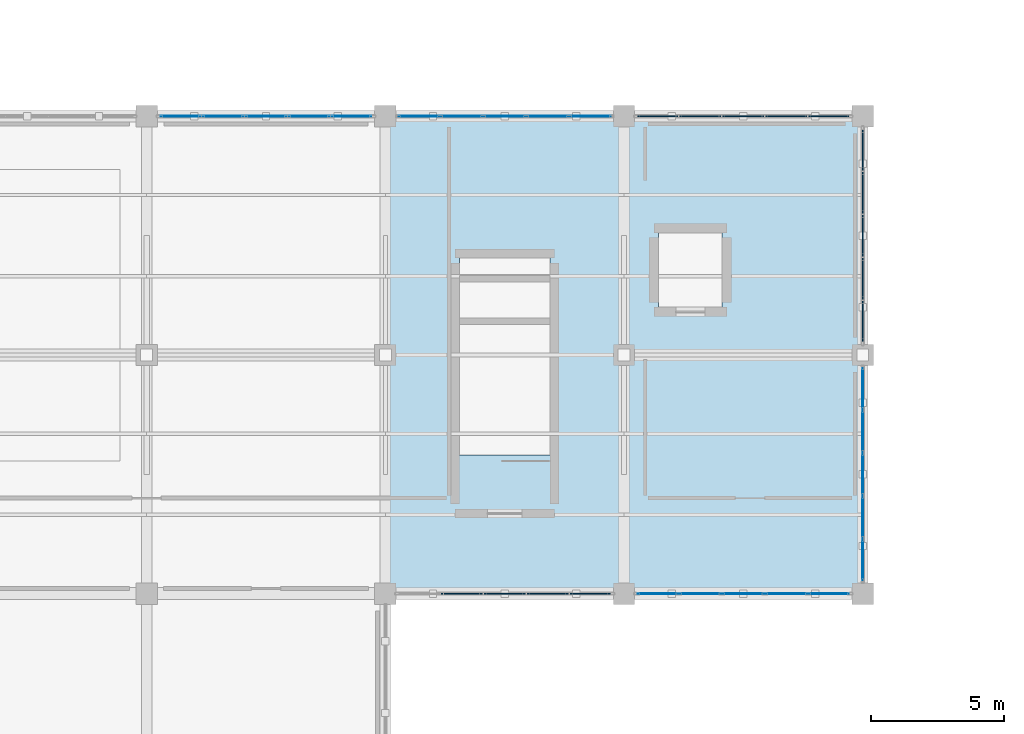
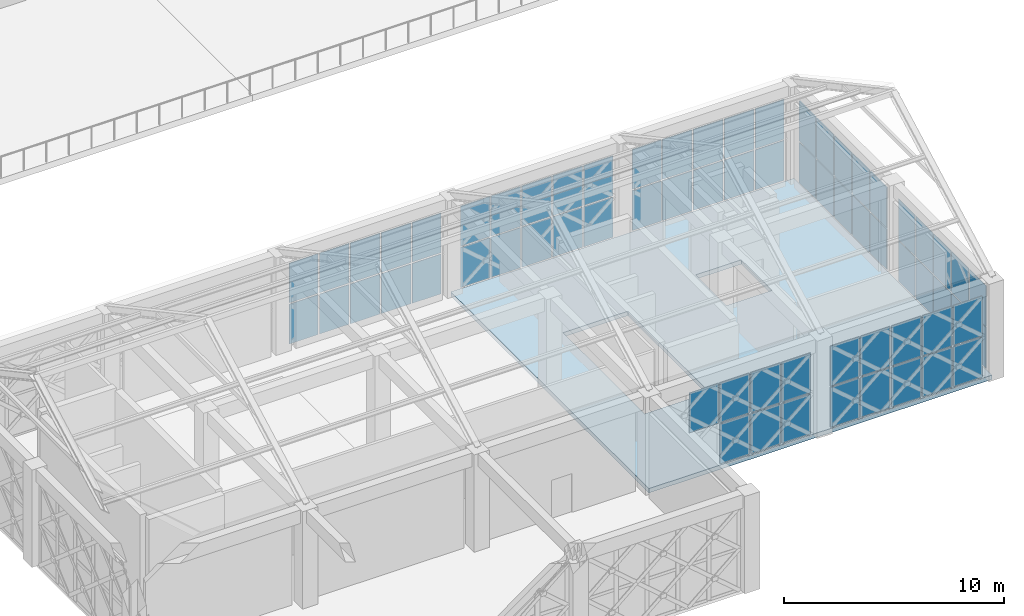
# One storey, part 68 of 86: 67 plates, 1 slab, 7 elements without a shape of their own.
"""IFC4 building model written with IfcOpenShell, lengths in metres."""

import ifcopenshell
import ifcopenshell.guid

model = None  # the IFC model being written
_history = None  # IfcOwnerHistory: only IFC2X3 demands one
_inside = {}  # id of a spatial element -> (the spatial element, [elements in it])
_under = {}  # id of a project, library or spatial element -> (it, [spatial elements below it])
_declared = {}  # id of a project -> (the project, [libraries it declares])
_typed = {}  # id of a type object -> (the type object, [elements of that type])
_made_of = {}  # id of a material, layer set ... -> (it, [elements and type objects made of it])


def new_model(schema):
    """Start an empty IFC model of exactly this schema.

    Asked for "IFC4X3", IfcOpenShell would pick the latest addendum, in which some entities
    have other attributes; the version numbers below select the first issue.
    IFC2X3 requires an IfcOwnerHistory on every rooted entity: one is made here for all.
    """
    global model, _history
    if schema == "IFC4X3":
        model = ifcopenshell.file(schema_version=(4, 3, 0, 0))
    else:
        model = ifcopenshell.file(schema=schema)
    _inside.clear()
    _under.clear()
    _declared.clear()
    _typed.clear()
    _made_of.clear()
    _history = None
    if model.schema == "IFC2X3":
        org = make("IfcOrganization", Name="unknown")
        user = make(
            "IfcPersonAndOrganization",
            ThePerson=make("IfcPerson", FamilyName="unknown"),
            TheOrganization=org,
        )
        app = make(
            "IfcApplication",
            ApplicationDeveloper=org,
            Version="unknown",
            ApplicationFullName="unknown",
            ApplicationIdentifier="unknown",
        )
        _history = make(
            "IfcOwnerHistory",
            OwningUser=user,
            OwningApplication=app,
            ChangeAction="ADDED",
            CreationDate=0,
        )
    return model


def make(cls, **values):
    """One entity of the class cls with the attributes given. An attribute that is None is left unset."""
    return model.create_entity(
        cls, **{name: value for name, value in values.items() if value is not None}
    )


def rooted(cls, **values):
    """An entity with a GlobalId (a new one), such as an element, a storey or a relation."""
    return make(cls, GlobalId=ifcopenshell.guid.new(), OwnerHistory=_history, **values)


def si_unit(unit_type, name, prefix=None):
    """IfcSIUnit, for example si_unit("LENGTHUNIT", "METRE", prefix="MILLI")."""
    return make("IfcSIUnit", UnitType=unit_type, Prefix=prefix, Name=name)


def assignment(units):
    """IfcUnitAssignment: the units of a project."""
    return None if units is None else make("IfcUnitAssignment", Units=units)


def point(xyz):
    """IfcCartesianPoint."""
    return None if xyz is None else make("IfcCartesianPoint", Coordinates=xyz)


def direction(xyz):
    """IfcDirection."""
    return None if xyz is None else make("IfcDirection", DirectionRatios=xyz)


def frame(location, z_axis=None, x_axis=None):
    """IfcAxis2Placement3D, a coordinate frame: its origin and axes. An axis left out is left unset."""
    return make(
        "IfcAxis2Placement3D",
        Location=point(location),
        Axis=direction(z_axis),
        RefDirection=direction(x_axis),
    )


def frame_2d(location, x_axis=None):
    """IfcAxis2Placement2D, a coordinate frame in the plane: its origin and x axis."""
    return make(
        "IfcAxis2Placement2D", Location=point(location), RefDirection=direction(x_axis)
    )


def origin():
    """The frame at (0, 0, 0) with its axes left unset."""
    return frame((0.0, 0.0, 0.0))


def origin_2d():
    """The frame at (0, 0) in the plane with its x axis left unset."""
    return frame_2d((0.0, 0.0))


def place(relative_to, where):
    """IfcLocalPlacement: puts the frame where relative to a parent placement (None: the world)."""
    return make(
        "IfcLocalPlacement", PlacementRelTo=relative_to, RelativePlacement=where
    )


def context(
    kind, dimensions, precision=None, world=None, true_north=None, identifier=None
):
    """IfcGeometricRepresentationContext, for example the 3D "Model" context."""
    return make(
        "IfcGeometricRepresentationContext",
        ContextIdentifier=identifier,
        ContextType=kind,
        CoordinateSpaceDimension=dimensions,
        Precision=precision,
        WorldCoordinateSystem=world,
        TrueNorth=true_north,
    )


def subcontext(parent, identifier, kind, view, scale=None):
    """IfcGeometricRepresentationSubContext, for example "Body" below "Model"."""
    return make(
        "IfcGeometricRepresentationSubContext",
        ContextIdentifier=identifier,
        ContextType=kind,
        ParentContext=parent,
        TargetScale=scale,
        TargetView=view,
    )


def project(units=None, contexts=None):
    """IfcProject with its units and contexts."""
    return rooted(
        "IfcProject",
        Name="project",
        RepresentationContexts=contexts,
        UnitsInContext=assignment(units),
    )


def spatial(cls, under=None, at=None, **own):
    """A site, building, storey or space (cls), placed at a placement, below another one or the project."""
    s = rooted(cls, ObjectPlacement=at, **own)
    if under is not None:
        _under.setdefault(under.id(), (under, []))[1].append(s)
    return s


def polyline(points):
    """IfcPolyline through the points."""
    return make("IfcPolyline", Points=[point(p) for p in points])


def profile(cls, at=None, kind="AREA", **sizes):
    """A parametric profile (cls). Its sizes go by their IFC names, for example OverallWidth=200.0."""
    return make(cls, ProfileType=kind, Position=at, **sizes)


def rectangle(**sizes):
    """IfcRectangleProfileDef."""
    return profile("IfcRectangleProfileDef", **sizes)


def outline(outer, holes=None, kind="AREA"):
    """IfcArbitraryClosedProfileDef: a profile drawn as a closed curve; with holes, ...WithVoids."""
    if holes is None:
        return make("IfcArbitraryClosedProfileDef", ProfileType=kind, OuterCurve=outer)
    return make(
        "IfcArbitraryProfileDefWithVoids",
        ProfileType=kind,
        OuterCurve=outer,
        InnerCurves=holes,
    )


def extrude(swept, where, along, depth):
    """IfcExtrudedAreaSolid: the profile swept, set in the frame where, extruded along a direction by depth."""
    return make(
        "IfcExtrudedAreaSolid",
        SweptArea=swept,
        Position=where,
        ExtrudedDirection=direction(along),
        Depth=depth,
    )


def shape(context_of_items, identifier, shape_type, items):
    """IfcShapeRepresentation: the items that make up one representation, for example the "Body"."""
    return make(
        "IfcShapeRepresentation",
        ContextOfItems=context_of_items,
        RepresentationIdentifier=identifier,
        RepresentationType=shape_type,
        Items=items,
    )


def material(Name=None, Category=None):
    """IfcMaterial."""
    return make("IfcMaterial", Name=Name, Category=Category)


def layer(
    of_material, thickness, ventilated=None, Name=None, Category=None, Priority=None
):
    """IfcMaterialLayer: one layer of a wall or slab, of a material (None: an air gap)."""
    return make(
        "IfcMaterialLayer",
        Material=of_material,
        LayerThickness=thickness,
        IsVentilated=ventilated,
        Name=Name,
        Category=Category,
        Priority=Priority,
    )


def layer_set(layers, Name=None):
    """IfcMaterialLayerSet."""
    return make("IfcMaterialLayerSet", MaterialLayers=layers, LayerSetName=Name)


def made_of(thing, what):
    """Note that an element or type object is made of a material, layer set ...; save() writes the relation."""
    if what is not None:
        _made_of.setdefault(what.id(), (what, []))[1].append(thing)
    return thing


def type_object(cls, material=None, **own):
    """A type object (cls), such as IfcWallType, which elements share."""
    return made_of(rooted(cls, **own), material)


def element(
    cls,
    number,
    at=None,
    inside=None,
    cuts=None,
    type_object=None,
    material=None,
    context=None,
    identifier="Body",
    shape_type=None,
    held_by="IfcProductDefinitionShape",
    body=None,
    shapes=None,
    **own,
):
    """One element of the class cls, such as IfcWall. Its Tag is "e" and its number.

    at: its placement. inside: the storey or other place that contains it. cuts: it is an
    opening in that element (IfcRelVoidsElement). A single representation is given by context,
    identifier, shape_type and body (its items); several are given by shapes. held_by: the class
    of the entity that holds the representations. save() writes the other relations.
    """
    e = rooted(cls, Tag="e%d" % number, ObjectPlacement=at, **own)
    if body is not None:
        shapes = [shape(context, identifier, shape_type, body)]
    if shapes is not None:
        e.Representation = make(held_by, Representations=shapes)
    if inside is not None:
        _inside.setdefault(inside.id(), (inside, []))[1].append(e)
    if cuts is not None:
        rooted(
            "IfcRelVoidsElement", RelatingBuildingElement=cuts, RelatedOpeningElement=e
        )
    if type_object is not None:
        _typed.setdefault(type_object.id(), (type_object, []))[1].append(e)
    return made_of(e, material)


def aggregate(whole, parts):
    """IfcRelAggregates: a whole, such as a stair, and the parts it consists of."""
    return rooted("IfcRelAggregates", RelatingObject=whole, RelatedObjects=parts)


def save(model, path):
    """Write the relations noted so far, then the file.

    IfcRelAggregates (storeys below a building ...), IfcRelContainedInSpatialStructure (elements
    in a storey), IfcRelDefinesByType, IfcRelAssociatesMaterial and IfcRelDeclares: one each for
    every whole, place, type object, material and project.
    """
    for whole, parts in _under.values():
        aggregate(whole, parts)
    for where, things in _inside.values():
        rooted(
            "IfcRelContainedInSpatialStructure",
            RelatedElements=things,
            RelatingStructure=where,
        )
    for kind, things in _typed.values():
        rooted("IfcRelDefinesByType", RelatedObjects=things, RelatingType=kind)
    for what, things in _made_of.values():
        rooted("IfcRelAssociatesMaterial", RelatedObjects=things, RelatingMaterial=what)
    for by, libraries in _declared.values():
        rooted("IfcRelDeclares", RelatingContext=by, RelatedDefinitions=libraries)
    model.write(path)


model = new_model("IFC4")

# Units and contexts
model_context = context("Model", 3, precision=1e-05, world=origin(), true_north=direction((0.0, 1.0)))
body_context = subcontext(model_context, "Body", "Model", "MODEL_VIEW")
ifc_project = project(units=[si_unit("LENGTHUNIT", "METRE"), si_unit("AREAUNIT", "SQUARE_METRE"), si_unit("VOLUMEUNIT", "CUBIC_METRE"), si_unit("PLANEANGLEUNIT", "RADIAN"), si_unit("MASSUNIT", "GRAM", prefix="KILO")], contexts=[model_context])

# Site, building, storey
site_placement = place(None, origin())
site = spatial("IfcSite", under=ifc_project, at=site_placement, CompositionType="ELEMENT")
building_placement = place(site_placement, origin())
building = spatial("IfcBuilding", under=site, at=building_placement, Name="Haizhuo Lancet Aquarium", CompositionType="ELEMENT")
storey_placement = place(building_placement, frame((0.0, 0.0, 16.199951171875)))
storey = spatial("IfcBuildingStorey", under=building, at=storey_placement, Name="L03", CompositionType="ELEMENT", Elevation=16.199951171875)

# Curtain wall, plates
ifc_material_1 = material(Name="Aluminium 6063-T6", Category="aluminium")
curtain_wall_type_1 = type_object("IfcCurtainWallType", Name="CWO-8110x4650", PredefinedType="NOTDEFINED", material=ifc_material_1)
curtain_wall_1_placement = place(storey_placement, origin())
curtain_wall_1 = element("IfcCurtainWall", 1, at=curtain_wall_1_placement, inside=storey, type_object=curtain_wall_type_1, Name="L03 curtain wall CW-V3-L03-069", PredefinedType="NOTDEFINED")
ifc_material_2 = material(Name="Laminated Low-E Glass", Category="glass")
ifc_layer_1 = layer(ifc_material_2, 0.028076171875)
ifc_layer_set_1 = layer_set([ifc_layer_1], Name="Laminated Low-E Glass")
plate_type_1 = type_object("IfcPlateType", Name="CW-PNL-1", PredefinedType="CURTAIN_PANEL", material=ifc_layer_set_1)
plate_1_placement = place(storey_placement, frame((46.27587890625, -9.0, 0.08056640625), z_axis=(0.0, 0.0, 1.0), x_axis=(1.0, 0.0, 0.0)))
plate_1 = element("IfcPlate", 2, at=plate_1_placement, type_object=plate_type_1, Name="CWO-81x46 panel 1.1", PredefinedType="CURTAIN_PANEL", context=body_context, shape_type="SweptSolid", body=[
    extrude(rectangle(XDim=1.501953125, YDim=0.028076171875, at=origin_2d()), origin(), (0.0, 0.0, 1.0), 2.205078125),
])
plate_2_placement = place(storey_placement, frame((46.27587890625, -9.0, 2.365478515625), z_axis=(0.0, 0.0, 1.0), x_axis=(1.0, 0.0, 0.0)))
plate_2 = element("IfcPlate", 3, at=plate_2_placement, type_object=plate_type_1, Name="CWO-81x46 panel 1.2", PredefinedType="CURTAIN_PANEL", context=body_context, shape_type="SweptSolid", body=[
    extrude(rectangle(XDim=1.501953125, YDim=0.028076171875, at=origin_2d()), origin(), (0.0, 0.0, 1.0), 2.205078125),
])
plate_3_placement = place(storey_placement, frame((47.8779296875, -9.0, 0.08056640625), z_axis=(0.0, 0.0, 1.0), x_axis=(1.0, 0.0, 0.0)))
plate_3 = element("IfcPlate", 4, at=plate_3_placement, type_object=plate_type_1, Name="CWO-81x46 panel 2.1", PredefinedType="CURTAIN_PANEL", context=body_context, shape_type="SweptSolid", body=[
    extrude(rectangle(XDim=1.5419921875, YDim=0.028076171875, at=origin_2d()), origin(), (0.0, 0.0, 1.0), 2.205078125),
])
plate_4_placement = place(storey_placement, frame((47.8779296875, -9.0, 2.365478515625), z_axis=(0.0, 0.0, 1.0), x_axis=(1.0, 0.0, 0.0)))
plate_4 = element("IfcPlate", 5, at=plate_4_placement, type_object=plate_type_1, Name="CWO-81x46 panel 2.2", PredefinedType="CURTAIN_PANEL", context=body_context, shape_type="SweptSolid", body=[
    extrude(rectangle(XDim=1.5419921875, YDim=0.028076171875, at=origin_2d()), origin(), (0.0, 0.0, 1.0), 2.205078125),
])
plate_5_placement = place(storey_placement, frame((49.5, -9.0, 0.08056640625), z_axis=(0.0, 0.0, 1.0), x_axis=(1.0, 0.0, 0.0)))
plate_5 = element("IfcPlate", 6, at=plate_5_placement, type_object=plate_type_1, Name="CWO-81x46 panel 3.1", PredefinedType="CURTAIN_PANEL", context=body_context, shape_type="SweptSolid", body=[
    extrude(rectangle(XDim=1.5419921875, YDim=0.028076171875, at=origin_2d()), origin(), (0.0, 0.0, 1.0), 2.205078125),
])
plate_6_placement = place(storey_placement, frame((49.5, -9.0, 2.365478515625), z_axis=(0.0, 0.0, 1.0), x_axis=(1.0, 0.0, 0.0)))
plate_6 = element("IfcPlate", 7, at=plate_6_placement, type_object=plate_type_1, Name="CWO-81x46 panel 3.2", PredefinedType="CURTAIN_PANEL", context=body_context, shape_type="SweptSolid", body=[
    extrude(rectangle(XDim=1.5419921875, YDim=0.028076171875, at=origin_2d()), origin(), (0.0, 0.0, 1.0), 2.205078125),
])
plate_7_placement = place(storey_placement, frame((51.1220703125, -9.0, 0.08056640625), z_axis=(0.0, 0.0, 1.0), x_axis=(1.0, 0.0, 0.0)))
plate_7 = element("IfcPlate", 8, at=plate_7_placement, type_object=plate_type_1, Name="CWO-81x46 panel 4.1", PredefinedType="CURTAIN_PANEL", context=body_context, shape_type="SweptSolid", body=[
    extrude(rectangle(XDim=1.5419921875, YDim=0.028076171875, at=origin_2d()), origin(), (0.0, 0.0, 1.0), 2.205078125),
])
plate_8_placement = place(storey_placement, frame((51.1220703125, -9.0, 2.365478515625), z_axis=(0.0, 0.0, 1.0), x_axis=(1.0, 0.0, 0.0)))
plate_8 = element("IfcPlate", 9, at=plate_8_placement, type_object=plate_type_1, Name="CWO-81x46 panel 4.2", PredefinedType="CURTAIN_PANEL", context=body_context, shape_type="SweptSolid", body=[
    extrude(rectangle(XDim=1.5419921875, YDim=0.028076171875, at=origin_2d()), origin(), (0.0, 0.0, 1.0), 2.205078125),
])
plate_9_placement = place(storey_placement, frame((52.72412109375, -9.0, 0.08056640625), z_axis=(0.0, 0.0, 1.0), x_axis=(1.0, 0.0, 0.0)))
plate_9 = element("IfcPlate", 10, at=plate_9_placement, type_object=plate_type_1, Name="CWO-81x46 panel 5.1", PredefinedType="CURTAIN_PANEL", context=body_context, shape_type="SweptSolid", body=[
    extrude(rectangle(XDim=1.501953125, YDim=0.028076171875, at=origin_2d()), origin(), (0.0, 0.0, 1.0), 2.205078125),
])
plate_10_placement = place(storey_placement, frame((52.72412109375, -9.0, 2.365478515625), z_axis=(0.0, 0.0, 1.0), x_axis=(1.0, 0.0, 0.0)))
plate_10 = element("IfcPlate", 11, at=plate_10_placement, type_object=plate_type_1, Name="CWO-81x46 panel 5.2", PredefinedType="CURTAIN_PANEL", context=body_context, shape_type="SweptSolid", body=[
    extrude(rectangle(XDim=1.501953125, YDim=0.028076171875, at=origin_2d()), origin(), (0.0, 0.0, 1.0), 2.205078125),
])
aggregate(curtain_wall_1, [plate_1, plate_2, plate_3, plate_4, plate_5, plate_6, plate_7, plate_8, plate_9, plate_10])

curtain_wall_type_2 = type_object("IfcCurtainWallType", Name="CWO-8110x4700", PredefinedType="NOTDEFINED", material=ifc_material_1)
curtain_wall_2_placement = place(storey_placement, origin())
curtain_wall_2 = element("IfcCurtainWall", 12, at=curtain_wall_2_placement, inside=storey, type_object=curtain_wall_type_2, Name="L03 curtain wall CW-V3-L03-073", PredefinedType="NOTDEFINED")
plate_11_placement = place(storey_placement, frame((72.0, -19.27197265625, 0.064697265625), z_axis=(0.0, 0.0, 1.0), x_axis=(0.0, -1.0, 0.0)))
plate_11 = element("IfcPlate", 13, at=plate_11_placement, type_object=plate_type_1, Name="CWO-81x47 panel 1.1", PredefinedType="CURTAIN_PANEL", context=body_context, shape_type="SweptSolid", body=[
    extrude(rectangle(XDim=1.52392578125, YDim=0.028076171875, at=origin_2d()), origin(), (0.0, 0.0, 1.0), 2.2529296875),
])
plate_12_placement = place(storey_placement, frame((72.0, -19.27197265625, 2.382568359375), z_axis=(0.0, 0.0, 1.0), x_axis=(0.0, -1.0, 0.0)))
plate_12 = element("IfcPlate", 14, at=plate_12_placement, type_object=plate_type_1, Name="CWO-81x47 panel 1.2", PredefinedType="CURTAIN_PANEL", context=body_context, shape_type="SweptSolid", body=[
    extrude(rectangle(XDim=1.52392578125, YDim=0.028076171875, at=origin_2d()), origin(), (0.0, 0.0, 1.0), 2.2529296875),
])
plate_13_placement = place(storey_placement, frame((72.0, -20.8779296875, 0.064697265625), z_axis=(0.0, 0.0, 1.0), x_axis=(0.0, -1.0, 0.0)))
plate_13 = element("IfcPlate", 15, at=plate_13_placement, type_object=plate_type_1, Name="CWO-81x47 panel 2.1", PredefinedType="CURTAIN_PANEL", context=body_context, shape_type="SweptSolid", body=[
    extrude(rectangle(XDim=1.556884765625, YDim=0.028076171875, at=origin_2d()), origin(), (0.0, 0.0, 1.0), 2.2529296875),
])
plate_14_placement = place(storey_placement, frame((72.0, -20.8779296875, 2.382568359375), z_axis=(0.0, 0.0, 1.0), x_axis=(0.0, -1.0, 0.0)))
plate_14 = element("IfcPlate", 16, at=plate_14_placement, type_object=plate_type_1, Name="CWO-81x47 panel 2.2", PredefinedType="CURTAIN_PANEL", context=body_context, shape_type="SweptSolid", body=[
    extrude(rectangle(XDim=1.556884765625, YDim=0.028076171875, at=origin_2d()), origin(), (0.0, 0.0, 1.0), 2.2529296875),
])
plate_15_placement = place(storey_placement, frame((72.0, -22.5, 0.064697265625), z_axis=(0.0, 0.0, 1.0), x_axis=(0.0, -1.0, 0.0)))
plate_15 = element("IfcPlate", 17, at=plate_15_placement, type_object=plate_type_1, Name="CWO-81x47 panel 3.1", PredefinedType="CURTAIN_PANEL", context=body_context, shape_type="SweptSolid", body=[
    extrude(rectangle(XDim=1.556884765625, YDim=0.028076171875, at=origin_2d()), origin(), (0.0, 0.0, 1.0), 2.2529296875),
])
plate_16_placement = place(storey_placement, frame((72.0, -22.5, 2.382568359375), z_axis=(0.0, 0.0, 1.0), x_axis=(0.0, -1.0, 0.0)))
plate_16 = element("IfcPlate", 18, at=plate_16_placement, type_object=plate_type_1, Name="CWO-81x47 panel 3.2", PredefinedType="CURTAIN_PANEL", context=body_context, shape_type="SweptSolid", body=[
    extrude(rectangle(XDim=1.556884765625, YDim=0.028076171875, at=origin_2d()), origin(), (0.0, 0.0, 1.0), 2.2529296875),
])
plate_17_placement = place(storey_placement, frame((72.0, -24.1220703125, 0.064697265625), z_axis=(0.0, 0.0, 1.0), x_axis=(0.0, -1.0, 0.0)))
plate_17 = element("IfcPlate", 19, at=plate_17_placement, type_object=plate_type_1, Name="CWO-81x47 panel 4.1", PredefinedType="CURTAIN_PANEL", context=body_context, shape_type="SweptSolid", body=[
    extrude(rectangle(XDim=1.556884765625, YDim=0.028076171875, at=origin_2d()), origin(), (0.0, 0.0, 1.0), 2.2529296875),
])
plate_18_placement = place(storey_placement, frame((72.0, -24.1220703125, 2.382568359375), z_axis=(0.0, 0.0, 1.0), x_axis=(0.0, -1.0, 0.0)))
plate_18 = element("IfcPlate", 20, at=plate_18_placement, type_object=plate_type_1, Name="CWO-81x47 panel 4.2", PredefinedType="CURTAIN_PANEL", context=body_context, shape_type="SweptSolid", body=[
    extrude(rectangle(XDim=1.556884765625, YDim=0.028076171875, at=origin_2d()), origin(), (0.0, 0.0, 1.0), 2.2529296875),
])
plate_19_placement = place(storey_placement, frame((72.0, -25.72802734375, 0.064697265625), z_axis=(0.0, 0.0, 1.0), x_axis=(0.0, -1.0, 0.0)))
plate_19 = element("IfcPlate", 21, at=plate_19_placement, type_object=plate_type_1, Name="CWO-81x47 panel 5.1", PredefinedType="CURTAIN_PANEL", context=body_context, shape_type="SweptSolid", body=[
    extrude(rectangle(XDim=1.52392578125, YDim=0.028076171875, at=origin_2d()), origin(), (0.0, 0.0, 1.0), 2.2529296875),
])
plate_20_placement = place(storey_placement, frame((72.0, -25.72802734375, 2.382568359375), z_axis=(0.0, 0.0, 1.0), x_axis=(0.0, -1.0, 0.0)))
plate_20 = element("IfcPlate", 22, at=plate_20_placement, type_object=plate_type_1, Name="CWO-81x47 panel 5.2", PredefinedType="CURTAIN_PANEL", context=body_context, shape_type="SweptSolid", body=[
    extrude(rectangle(XDim=1.52392578125, YDim=0.028076171875, at=origin_2d()), origin(), (0.0, 0.0, 1.0), 2.2529296875),
])
aggregate(curtain_wall_2, [plate_11, plate_12, plate_13, plate_14, plate_15, plate_16, plate_17, plate_18, plate_19, plate_20])

curtain_wall_3_placement = place(storey_placement, origin())
curtain_wall_3 = element("IfcCurtainWall", 23, at=curtain_wall_3_placement, inside=storey, type_object=curtain_wall_type_1, Name="L03 curtain wall CW-V3-L03-070", PredefinedType="NOTDEFINED")
ifc_layer_2 = layer(ifc_material_2, 0.033935546875)
ifc_layer_set_2 = layer_set([ifc_layer_2], Name="Laminated Low-E Glass")
plate_type_2 = type_object("IfcPlateType", Name="CW-PNL-2", PredefinedType="CURTAIN_PANEL", material=ifc_layer_set_2)
plate_21_placement = place(storey_placement, frame((55.27197265625, -9.0, 0.06494140625), z_axis=(0.0, 0.0, 1.0), x_axis=(1.0, 0.0, 0.0)))
plate_21 = element("IfcPlate", 24, at=plate_21_placement, type_object=plate_type_2, Name="CWO-81x46 panel 1.1", PredefinedType="CURTAIN_PANEL", context=body_context, shape_type="SweptSolid", body=[
    extrude(rectangle(XDim=1.52392578125, YDim=0.033935546875, at=origin_2d()), origin(), (0.0, 0.0, 1.0), 2.22802734375),
])
plate_22_placement = place(storey_placement, frame((55.27197265625, -9.0, 2.35693359375), z_axis=(0.0, 0.0, 1.0), x_axis=(1.0, 0.0, 0.0)))
plate_22 = element("IfcPlate", 25, at=plate_22_placement, type_object=plate_type_2, Name="CWO-81x46 panel 1.2", PredefinedType="CURTAIN_PANEL", context=body_context, shape_type="SweptSolid", body=[
    extrude(rectangle(XDim=1.52392578125, YDim=0.033935546875, at=origin_2d()), origin(), (0.0, 0.0, 1.0), 2.22802734375),
])
plate_23_placement = place(storey_placement, frame((56.8779296875, -9.0, 0.06494140625), z_axis=(0.0, 0.0, 1.0), x_axis=(1.0, 0.0, 0.0)))
plate_23 = element("IfcPlate", 26, at=plate_23_placement, type_object=plate_type_2, Name="CWO-81x46 panel 2.1", PredefinedType="CURTAIN_PANEL", context=body_context, shape_type="SweptSolid", body=[
    extrude(rectangle(XDim=1.556884765625, YDim=0.033935546875, at=origin_2d()), origin(), (0.0, 0.0, 1.0), 2.22802734375),
])
plate_24_placement = place(storey_placement, frame((56.8779296875, -9.0, 2.35693359375), z_axis=(0.0, 0.0, 1.0), x_axis=(1.0, 0.0, 0.0)))
plate_24 = element("IfcPlate", 27, at=plate_24_placement, type_object=plate_type_2, Name="CWO-81x46 panel 2.2", PredefinedType="CURTAIN_PANEL", context=body_context, shape_type="SweptSolid", body=[
    extrude(rectangle(XDim=1.556884765625, YDim=0.033935546875, at=origin_2d()), origin(), (0.0, 0.0, 1.0), 2.22802734375),
])
plate_25_placement = place(storey_placement, frame((58.5, -9.0, 0.06494140625), z_axis=(0.0, 0.0, 1.0), x_axis=(1.0, 0.0, 0.0)))
plate_25 = element("IfcPlate", 28, at=plate_25_placement, type_object=plate_type_2, Name="CWO-81x46 panel 3.1", PredefinedType="CURTAIN_PANEL", context=body_context, shape_type="SweptSolid", body=[
    extrude(rectangle(XDim=1.556884765625, YDim=0.033935546875, at=origin_2d()), origin(), (0.0, 0.0, 1.0), 2.22802734375),
])
plate_26_placement = place(storey_placement, frame((58.5, -9.0, 2.35693359375), z_axis=(0.0, 0.0, 1.0), x_axis=(1.0, 0.0, 0.0)))
plate_26 = element("IfcPlate", 29, at=plate_26_placement, type_object=plate_type_2, Name="CWO-81x46 panel 3.2", PredefinedType="CURTAIN_PANEL", context=body_context, shape_type="SweptSolid", body=[
    extrude(rectangle(XDim=1.556884765625, YDim=0.033935546875, at=origin_2d()), origin(), (0.0, 0.0, 1.0), 2.22802734375),
])
plate_27_placement = place(storey_placement, frame((60.1220703125, -9.0, 0.06494140625), z_axis=(0.0, 0.0, 1.0), x_axis=(1.0, 0.0, 0.0)))
plate_27 = element("IfcPlate", 30, at=plate_27_placement, type_object=plate_type_2, Name="CWO-81x46 panel 4.1", PredefinedType="CURTAIN_PANEL", context=body_context, shape_type="SweptSolid", body=[
    extrude(rectangle(XDim=1.556884765625, YDim=0.033935546875, at=origin_2d()), origin(), (0.0, 0.0, 1.0), 2.22802734375),
])
plate_28_placement = place(storey_placement, frame((60.1220703125, -9.0, 2.35693359375), z_axis=(0.0, 0.0, 1.0), x_axis=(1.0, 0.0, 0.0)))
plate_28 = element("IfcPlate", 31, at=plate_28_placement, type_object=plate_type_2, Name="CWO-81x46 panel 4.2", PredefinedType="CURTAIN_PANEL", context=body_context, shape_type="SweptSolid", body=[
    extrude(rectangle(XDim=1.556884765625, YDim=0.033935546875, at=origin_2d()), origin(), (0.0, 0.0, 1.0), 2.22802734375),
])
plate_29_placement = place(storey_placement, frame((61.72802734375, -9.0, 0.06494140625), z_axis=(0.0, 0.0, 1.0), x_axis=(1.0, 0.0, 0.0)))
plate_29 = element("IfcPlate", 32, at=plate_29_placement, type_object=plate_type_2, Name="CWO-81x46 panel 5.1", PredefinedType="CURTAIN_PANEL", context=body_context, shape_type="SweptSolid", body=[
    extrude(rectangle(XDim=1.52392578125, YDim=0.033935546875, at=origin_2d()), origin(), (0.0, 0.0, 1.0), 2.22802734375),
])
plate_30_placement = place(storey_placement, frame((61.72802734375, -9.0, 2.35693359375), z_axis=(0.0, 0.0, 1.0), x_axis=(1.0, 0.0, 0.0)))
plate_30 = element("IfcPlate", 33, at=plate_30_placement, type_object=plate_type_2, Name="CWO-81x46 panel 5.2", PredefinedType="CURTAIN_PANEL", context=body_context, shape_type="SweptSolid", body=[
    extrude(rectangle(XDim=1.52392578125, YDim=0.033935546875, at=origin_2d()), origin(), (0.0, 0.0, 1.0), 2.22802734375),
])
aggregate(curtain_wall_3, [plate_21, plate_22, plate_23, plate_24, plate_25, plate_26, plate_27, plate_28, plate_29, plate_30])

curtain_wall_4_placement = place(storey_placement, origin())
curtain_wall_4 = element("IfcCurtainWall", 34, at=curtain_wall_4_placement, inside=storey, type_object=curtain_wall_type_1, Name="L03 curtain wall CW-V3-L03-074", PredefinedType="NOTDEFINED")
plate_31_placement = place(storey_placement, frame((70.72509765625, -27.0, 0.0751953125), z_axis=(0.0, 0.0, 1.0), x_axis=(-1.0, 0.0, 0.0)))
plate_31 = element("IfcPlate", 35, at=plate_31_placement, type_object=plate_type_2, Name="CWO-81x46 panel 1.1", PredefinedType="CURTAIN_PANEL", context=body_context, shape_type="SweptSolid", body=[
    extrude(rectangle(XDim=1.510009765625, YDim=0.033935546875, at=origin_2d()), origin(), (0.0, 0.0, 1.0), 2.2119140625),
])
plate_32_placement = place(storey_placement, frame((70.72509765625, -27.0, 2.363037109375), z_axis=(0.0, 0.0, 1.0), x_axis=(-1.0, 0.0, 0.0)))
plate_32 = element("IfcPlate", 36, at=plate_32_placement, type_object=plate_type_2, Name="CWO-81x46 panel 1.2", PredefinedType="CURTAIN_PANEL", context=body_context, shape_type="SweptSolid", body=[
    extrude(rectangle(XDim=1.510009765625, YDim=0.033935546875, at=origin_2d()), origin(), (0.0, 0.0, 1.0), 2.2119140625),
])
plate_33_placement = place(storey_placement, frame((69.1220703125, -27.0, 0.0751953125), z_axis=(0.0, 0.0, 1.0), x_axis=(-1.0, 0.0, 0.0)))
plate_33 = element("IfcPlate", 37, at=plate_33_placement, type_object=plate_type_2, Name="CWO-81x46 panel 2.1", PredefinedType="CURTAIN_PANEL", context=body_context, shape_type="SweptSolid", body=[
    extrude(rectangle(XDim=1.547119140625, YDim=0.033935546875, at=origin_2d()), origin(), (0.0, 0.0, 1.0), 2.2119140625),
])
plate_34_placement = place(storey_placement, frame((69.1220703125, -27.0, 2.363037109375), z_axis=(0.0, 0.0, 1.0), x_axis=(-1.0, 0.0, 0.0)))
plate_34 = element("IfcPlate", 38, at=plate_34_placement, type_object=plate_type_2, Name="CWO-81x46 panel 2.2", PredefinedType="CURTAIN_PANEL", context=body_context, shape_type="SweptSolid", body=[
    extrude(rectangle(XDim=1.547119140625, YDim=0.033935546875, at=origin_2d()), origin(), (0.0, 0.0, 1.0), 2.2119140625),
])
plate_35_placement = place(storey_placement, frame((67.5, -27.0, 0.0751953125), z_axis=(0.0, 0.0, 1.0), x_axis=(-1.0, 0.0, 0.0)))
plate_35 = element("IfcPlate", 39, at=plate_35_placement, type_object=plate_type_2, Name="CWO-81x46 panel 3.1", PredefinedType="CURTAIN_PANEL", context=body_context, shape_type="SweptSolid", body=[
    extrude(rectangle(XDim=1.547119140625, YDim=0.033935546875, at=origin_2d()), origin(), (0.0, 0.0, 1.0), 2.2119140625),
])
plate_36_placement = place(storey_placement, frame((67.5, -27.0, 2.363037109375), z_axis=(0.0, 0.0, 1.0), x_axis=(-1.0, 0.0, 0.0)))
plate_36 = element("IfcPlate", 40, at=plate_36_placement, type_object=plate_type_2, Name="CWO-81x46 panel 3.2", PredefinedType="CURTAIN_PANEL", context=body_context, shape_type="SweptSolid", body=[
    extrude(rectangle(XDim=1.547119140625, YDim=0.033935546875, at=origin_2d()), origin(), (0.0, 0.0, 1.0), 2.2119140625),
])
plate_37_placement = place(storey_placement, frame((65.8779296875, -27.0, 0.0751953125), z_axis=(0.0, 0.0, 1.0), x_axis=(-1.0, 0.0, 0.0)))
plate_37 = element("IfcPlate", 41, at=plate_37_placement, type_object=plate_type_2, Name="CWO-81x46 panel 4.1", PredefinedType="CURTAIN_PANEL", context=body_context, shape_type="SweptSolid", body=[
    extrude(rectangle(XDim=1.547119140625, YDim=0.033935546875, at=origin_2d()), origin(), (0.0, 0.0, 1.0), 2.2119140625),
])
plate_38_placement = place(storey_placement, frame((65.8779296875, -27.0, 2.363037109375), z_axis=(0.0, 0.0, 1.0), x_axis=(-1.0, 0.0, 0.0)))
plate_38 = element("IfcPlate", 42, at=plate_38_placement, type_object=plate_type_2, Name="CWO-81x46 panel 4.2", PredefinedType="CURTAIN_PANEL", context=body_context, shape_type="SweptSolid", body=[
    extrude(rectangle(XDim=1.547119140625, YDim=0.033935546875, at=origin_2d()), origin(), (0.0, 0.0, 1.0), 2.2119140625),
])
plate_39_placement = place(storey_placement, frame((64.27490234375, -27.0, 0.0751953125), z_axis=(0.0, 0.0, 1.0), x_axis=(-1.0, 0.0, 0.0)))
plate_39 = element("IfcPlate", 43, at=plate_39_placement, type_object=plate_type_2, Name="CWO-81x46 panel 5.1", PredefinedType="CURTAIN_PANEL", context=body_context, shape_type="SweptSolid", body=[
    extrude(rectangle(XDim=1.510009765625, YDim=0.033935546875, at=origin_2d()), origin(), (0.0, 0.0, 1.0), 2.2119140625),
])
plate_40_placement = place(storey_placement, frame((64.27490234375, -27.0, 2.363037109375), z_axis=(0.0, 0.0, 1.0), x_axis=(-1.0, 0.0, 0.0)))
plate_40 = element("IfcPlate", 44, at=plate_40_placement, type_object=plate_type_2, Name="CWO-81x46 panel 5.2", PredefinedType="CURTAIN_PANEL", context=body_context, shape_type="SweptSolid", body=[
    extrude(rectangle(XDim=1.510009765625, YDim=0.033935546875, at=origin_2d()), origin(), (0.0, 0.0, 1.0), 2.2119140625),
])
aggregate(curtain_wall_4, [plate_31, plate_32, plate_33, plate_34, plate_35, plate_36, plate_37, plate_38, plate_39, plate_40])

curtain_wall_5_placement = place(storey_placement, origin())
curtain_wall_5 = element("IfcCurtainWall", 45, at=curtain_wall_5_placement, inside=storey, type_object=curtain_wall_type_1, Name="L03 curtain wall CW-V3-L03-071", PredefinedType="NOTDEFINED")
ifc_layer_3 = layer(ifc_material_2, 0.0419921875)
ifc_layer_set_3 = layer_set([ifc_layer_3], Name="Laminated Low-E Glass")
plate_type_3 = type_object("IfcPlateType", Name="CW-PNL-3", PredefinedType="CURTAIN_PANEL", material=ifc_layer_set_3)
plate_41_placement = place(storey_placement, frame((64.27490234375, -9.0, 0.0751953125), z_axis=(0.0, 0.0, 1.0), x_axis=(1.0, 0.0, 0.0)))
plate_41 = element("IfcPlate", 46, at=plate_41_placement, type_object=plate_type_3, Name="CWO-81x46 panel 1.1", PredefinedType="CURTAIN_PANEL", context=body_context, shape_type="SweptSolid", body=[
    extrude(rectangle(XDim=1.510009765625, YDim=0.0419921875, at=origin_2d()), origin(), (0.0, 0.0, 1.0), 2.2119140625),
])
plate_42_placement = place(storey_placement, frame((64.27490234375, -9.0, 2.363037109375), z_axis=(0.0, 0.0, 1.0), x_axis=(1.0, 0.0, 0.0)))
plate_42 = element("IfcPlate", 47, at=plate_42_placement, type_object=plate_type_3, Name="CWO-81x46 panel 1.2", PredefinedType="CURTAIN_PANEL", context=body_context, shape_type="SweptSolid", body=[
    extrude(rectangle(XDim=1.510009765625, YDim=0.0419921875, at=origin_2d()), origin(), (0.0, 0.0, 1.0), 2.2119140625),
])
plate_43_placement = place(storey_placement, frame((65.8779296875, -9.0, 0.0751953125), z_axis=(0.0, 0.0, 1.0), x_axis=(1.0, 0.0, 0.0)))
plate_43 = element("IfcPlate", 48, at=plate_43_placement, type_object=plate_type_3, Name="CWO-81x46 panel 2.1", PredefinedType="CURTAIN_PANEL", context=body_context, shape_type="SweptSolid", body=[
    extrude(rectangle(XDim=1.547119140625, YDim=0.0419921875, at=origin_2d()), origin(), (0.0, 0.0, 1.0), 2.2119140625),
])
plate_44_placement = place(storey_placement, frame((65.8779296875, -9.0, 2.363037109375), z_axis=(0.0, 0.0, 1.0), x_axis=(1.0, 0.0, 0.0)))
plate_44 = element("IfcPlate", 49, at=plate_44_placement, type_object=plate_type_3, Name="CWO-81x46 panel 2.2", PredefinedType="CURTAIN_PANEL", context=body_context, shape_type="SweptSolid", body=[
    extrude(rectangle(XDim=1.547119140625, YDim=0.0419921875, at=origin_2d()), origin(), (0.0, 0.0, 1.0), 2.2119140625),
])
plate_45_placement = place(storey_placement, frame((67.5, -9.0, 0.0751953125), z_axis=(0.0, 0.0, 1.0), x_axis=(1.0, 0.0, 0.0)))
plate_45 = element("IfcPlate", 50, at=plate_45_placement, type_object=plate_type_3, Name="CWO-81x46 panel 3.1", PredefinedType="CURTAIN_PANEL", context=body_context, shape_type="SweptSolid", body=[
    extrude(rectangle(XDim=1.547119140625, YDim=0.0419921875, at=origin_2d()), origin(), (0.0, 0.0, 1.0), 2.2119140625),
])
plate_46_placement = place(storey_placement, frame((67.5, -9.0, 2.363037109375), z_axis=(0.0, 0.0, 1.0), x_axis=(1.0, 0.0, 0.0)))
plate_46 = element("IfcPlate", 51, at=plate_46_placement, type_object=plate_type_3, Name="CWO-81x46 panel 3.2", PredefinedType="CURTAIN_PANEL", context=body_context, shape_type="SweptSolid", body=[
    extrude(rectangle(XDim=1.547119140625, YDim=0.0419921875, at=origin_2d()), origin(), (0.0, 0.0, 1.0), 2.2119140625),
])
plate_47_placement = place(storey_placement, frame((69.1220703125, -9.0, 0.0751953125), z_axis=(0.0, 0.0, 1.0), x_axis=(1.0, 0.0, 0.0)))
plate_47 = element("IfcPlate", 52, at=plate_47_placement, type_object=plate_type_3, Name="CWO-81x46 panel 4.1", PredefinedType="CURTAIN_PANEL", context=body_context, shape_type="SweptSolid", body=[
    extrude(rectangle(XDim=1.547119140625, YDim=0.0419921875, at=origin_2d()), origin(), (0.0, 0.0, 1.0), 2.2119140625),
])
plate_48_placement = place(storey_placement, frame((69.1220703125, -9.0, 2.363037109375), z_axis=(0.0, 0.0, 1.0), x_axis=(1.0, 0.0, 0.0)))
plate_48 = element("IfcPlate", 53, at=plate_48_placement, type_object=plate_type_3, Name="CWO-81x46 panel 4.2", PredefinedType="CURTAIN_PANEL", context=body_context, shape_type="SweptSolid", body=[
    extrude(rectangle(XDim=1.547119140625, YDim=0.0419921875, at=origin_2d()), origin(), (0.0, 0.0, 1.0), 2.2119140625),
])
plate_49_placement = place(storey_placement, frame((70.72509765625, -9.0, 0.0751953125), z_axis=(0.0, 0.0, 1.0), x_axis=(1.0, 0.0, 0.0)))
plate_49 = element("IfcPlate", 54, at=plate_49_placement, type_object=plate_type_3, Name="CWO-81x46 panel 5.1", PredefinedType="CURTAIN_PANEL", context=body_context, shape_type="SweptSolid", body=[
    extrude(rectangle(XDim=1.510009765625, YDim=0.0419921875, at=origin_2d()), origin(), (0.0, 0.0, 1.0), 2.2119140625),
])
plate_50_placement = place(storey_placement, frame((70.72509765625, -9.0, 2.363037109375), z_axis=(0.0, 0.0, 1.0), x_axis=(1.0, 0.0, 0.0)))
plate_50 = element("IfcPlate", 55, at=plate_50_placement, type_object=plate_type_3, Name="CWO-81x46 panel 5.2", PredefinedType="CURTAIN_PANEL", context=body_context, shape_type="SweptSolid", body=[
    extrude(rectangle(XDim=1.510009765625, YDim=0.0419921875, at=origin_2d()), origin(), (0.0, 0.0, 1.0), 2.2119140625),
])
aggregate(curtain_wall_5, [plate_41, plate_42, plate_43, plate_44, plate_45, plate_46, plate_47, plate_48, plate_49, plate_50])

curtain_wall_6_placement = place(storey_placement, origin())
curtain_wall_6 = element("IfcCurtainWall", 56, at=curtain_wall_6_placement, inside=storey, type_object=curtain_wall_type_1, Name="L03 curtain wall CW-V3-L03-075", PredefinedType="NOTDEFINED")
plate_51_placement = place(storey_placement, frame((61.72412109375, -27.0, 0.08056640625), z_axis=(0.0, 0.0, 1.0), x_axis=(-1.0, 0.0, 0.0)))
plate_51 = element("IfcPlate", 57, at=plate_51_placement, type_object=plate_type_3, Name="CWO-81x46 panel 1.1", PredefinedType="CURTAIN_PANEL", context=body_context, shape_type="SweptSolid", body=[
    extrude(rectangle(XDim=1.501953125, YDim=0.0419921875, at=origin_2d()), origin(), (0.0, 0.0, 1.0), 2.205078125),
])
plate_52_placement = place(storey_placement, frame((61.72412109375, -27.0, 2.365478515625), z_axis=(0.0, 0.0, 1.0), x_axis=(-1.0, 0.0, 0.0)))
plate_52 = element("IfcPlate", 58, at=plate_52_placement, type_object=plate_type_3, Name="CWO-81x46 panel 1.2", PredefinedType="CURTAIN_PANEL", context=body_context, shape_type="SweptSolid", body=[
    extrude(rectangle(XDim=1.501953125, YDim=0.0419921875, at=origin_2d()), origin(), (0.0, 0.0, 1.0), 2.205078125),
])
plate_53_placement = place(storey_placement, frame((60.1220703125, -27.0, 0.08056640625), z_axis=(0.0, 0.0, 1.0), x_axis=(-1.0, 0.0, 0.0)))
plate_53 = element("IfcPlate", 59, at=plate_53_placement, type_object=plate_type_3, Name="CWO-81x46 panel 2.1", PredefinedType="CURTAIN_PANEL", context=body_context, shape_type="SweptSolid", body=[
    extrude(rectangle(XDim=1.5419921875, YDim=0.0419921875, at=origin_2d()), origin(), (0.0, 0.0, 1.0), 2.205078125),
])
plate_54_placement = place(storey_placement, frame((60.1220703125, -27.0, 2.365478515625), z_axis=(0.0, 0.0, 1.0), x_axis=(-1.0, 0.0, 0.0)))
plate_54 = element("IfcPlate", 60, at=plate_54_placement, type_object=plate_type_3, Name="CWO-81x46 panel 2.2", PredefinedType="CURTAIN_PANEL", context=body_context, shape_type="SweptSolid", body=[
    extrude(rectangle(XDim=1.5419921875, YDim=0.0419921875, at=origin_2d()), origin(), (0.0, 0.0, 1.0), 2.205078125),
])
plate_55_placement = place(storey_placement, frame((58.5, -27.0, 0.08056640625), z_axis=(0.0, 0.0, 1.0), x_axis=(-1.0, 0.0, 0.0)))
plate_55 = element("IfcPlate", 61, at=plate_55_placement, type_object=plate_type_3, Name="CWO-81x46 panel 3.1", PredefinedType="CURTAIN_PANEL", context=body_context, shape_type="SweptSolid", body=[
    extrude(rectangle(XDim=1.5419921875, YDim=0.0419921875, at=origin_2d()), origin(), (0.0, 0.0, 1.0), 2.205078125),
])
plate_56_placement = place(storey_placement, frame((58.5, -27.0, 2.365478515625), z_axis=(0.0, 0.0, 1.0), x_axis=(-1.0, 0.0, 0.0)))
plate_56 = element("IfcPlate", 62, at=plate_56_placement, type_object=plate_type_3, Name="CWO-81x46 panel 3.2", PredefinedType="CURTAIN_PANEL", context=body_context, shape_type="SweptSolid", body=[
    extrude(rectangle(XDim=1.5419921875, YDim=0.0419921875, at=origin_2d()), origin(), (0.0, 0.0, 1.0), 2.205078125),
])
plate_57_placement = place(storey_placement, frame((56.8779296875, -27.0, 2.365478515625), z_axis=(0.0, 0.0, 1.0), x_axis=(-1.0, 0.0, 0.0)))
plate_57 = element("IfcPlate", 63, at=plate_57_placement, type_object=plate_type_3, Name="CWO-81x46 panel 4.2", PredefinedType="CURTAIN_PANEL", context=body_context, shape_type="SweptSolid", body=[
    extrude(rectangle(XDim=1.5419921875, YDim=0.0419921875, at=origin_2d()), origin(), (0.0, 0.0, 1.0), 2.205078125),
])
aggregate(curtain_wall_6, [plate_51, plate_52, plate_53, plate_54, plate_55, plate_56, plate_57])

curtain_wall_7_placement = place(storey_placement, origin())
curtain_wall_7 = element("IfcCurtainWall", 64, at=curtain_wall_7_placement, inside=storey, type_object=curtain_wall_type_2, Name="L03 curtain wall CW-V3-L03-072", PredefinedType="NOTDEFINED")
ifc_layer_4 = layer(ifc_material_2, 0.052001953125)
ifc_layer_set_4 = layer_set([ifc_layer_4], Name="Laminated Low-E Glass")
plate_type_4 = type_object("IfcPlateType", Name="CW-PNL-4", PredefinedType="CURTAIN_PANEL", material=ifc_layer_set_4)
plate_58_placement = place(storey_placement, frame((72.0, -10.27587890625, 0.080078125), z_axis=(0.0, 0.0, 1.0), x_axis=(0.0, -1.0, 0.0)))
plate_58 = element("IfcPlate", 65, at=plate_58_placement, type_object=plate_type_4, Name="CWO-81x47 panel 1.1", PredefinedType="CURTAIN_PANEL", context=body_context, shape_type="SweptSolid", body=[
    extrude(rectangle(XDim=1.501953125, YDim=0.052001953125, at=origin_2d()), origin(), (0.0, 0.0, 1.0), 2.22998046875),
])
plate_59_placement = place(storey_placement, frame((72.0, -10.27587890625, 2.39013671875), z_axis=(0.0, 0.0, 1.0), x_axis=(0.0, -1.0, 0.0)))
plate_59 = element("IfcPlate", 66, at=plate_59_placement, type_object=plate_type_4, Name="CWO-81x47 panel 1.2", PredefinedType="CURTAIN_PANEL", context=body_context, shape_type="SweptSolid", body=[
    extrude(rectangle(XDim=1.501953125, YDim=0.052001953125, at=origin_2d()), origin(), (0.0, 0.0, 1.0), 2.22998046875),
])
plate_60_placement = place(storey_placement, frame((72.0, -11.8779296875, 0.080078125), z_axis=(0.0, 0.0, 1.0), x_axis=(0.0, -1.0, 0.0)))
plate_60 = element("IfcPlate", 67, at=plate_60_placement, type_object=plate_type_4, Name="CWO-81x47 panel 2.1", PredefinedType="CURTAIN_PANEL", context=body_context, shape_type="SweptSolid", body=[
    extrude(rectangle(XDim=1.5419921875, YDim=0.052001953125, at=origin_2d()), origin(), (0.0, 0.0, 1.0), 2.22998046875),
])
plate_61_placement = place(storey_placement, frame((72.0, -11.8779296875, 2.39013671875), z_axis=(0.0, 0.0, 1.0), x_axis=(0.0, -1.0, 0.0)))
plate_61 = element("IfcPlate", 68, at=plate_61_placement, type_object=plate_type_4, Name="CWO-81x47 panel 2.2", PredefinedType="CURTAIN_PANEL", context=body_context, shape_type="SweptSolid", body=[
    extrude(rectangle(XDim=1.5419921875, YDim=0.052001953125, at=origin_2d()), origin(), (0.0, 0.0, 1.0), 2.22998046875),
])
plate_62_placement = place(storey_placement, frame((72.0, -13.5, 0.080078125), z_axis=(0.0, 0.0, 1.0), x_axis=(0.0, -1.0, 0.0)))
plate_62 = element("IfcPlate", 69, at=plate_62_placement, type_object=plate_type_4, Name="CWO-81x47 panel 3.1", PredefinedType="CURTAIN_PANEL", context=body_context, shape_type="SweptSolid", body=[
    extrude(rectangle(XDim=1.5419921875, YDim=0.052001953125, at=origin_2d()), origin(), (0.0, 0.0, 1.0), 2.22998046875),
])
plate_63_placement = place(storey_placement, frame((72.0, -13.5, 2.39013671875), z_axis=(0.0, 0.0, 1.0), x_axis=(0.0, -1.0, 0.0)))
plate_63 = element("IfcPlate", 70, at=plate_63_placement, type_object=plate_type_4, Name="CWO-81x47 panel 3.2", PredefinedType="CURTAIN_PANEL", context=body_context, shape_type="SweptSolid", body=[
    extrude(rectangle(XDim=1.5419921875, YDim=0.052001953125, at=origin_2d()), origin(), (0.0, 0.0, 1.0), 2.22998046875),
])
plate_64_placement = place(storey_placement, frame((72.0, -15.1220703125, 0.080078125), z_axis=(0.0, 0.0, 1.0), x_axis=(0.0, -1.0, 0.0)))
plate_64 = element("IfcPlate", 71, at=plate_64_placement, type_object=plate_type_4, Name="CWO-81x47 panel 4.1", PredefinedType="CURTAIN_PANEL", context=body_context, shape_type="SweptSolid", body=[
    extrude(rectangle(XDim=1.5419921875, YDim=0.052001953125, at=origin_2d()), origin(), (0.0, 0.0, 1.0), 2.22998046875),
])
plate_65_placement = place(storey_placement, frame((72.0, -15.1220703125, 2.39013671875), z_axis=(0.0, 0.0, 1.0), x_axis=(0.0, -1.0, 0.0)))
plate_65 = element("IfcPlate", 72, at=plate_65_placement, type_object=plate_type_4, Name="CWO-81x47 panel 4.2", PredefinedType="CURTAIN_PANEL", context=body_context, shape_type="SweptSolid", body=[
    extrude(rectangle(XDim=1.5419921875, YDim=0.052001953125, at=origin_2d()), origin(), (0.0, 0.0, 1.0), 2.22998046875),
])
plate_66_placement = place(storey_placement, frame((72.0, -16.72412109375, 0.080078125), z_axis=(0.0, 0.0, 1.0), x_axis=(0.0, -1.0, 0.0)))
plate_66 = element("IfcPlate", 73, at=plate_66_placement, type_object=plate_type_4, Name="CWO-81x47 panel 5.1", PredefinedType="CURTAIN_PANEL", context=body_context, shape_type="SweptSolid", body=[
    extrude(rectangle(XDim=1.501953125, YDim=0.052001953125, at=origin_2d()), origin(), (0.0, 0.0, 1.0), 2.22998046875),
])
plate_67_placement = place(storey_placement, frame((72.0, -16.72412109375, 2.39013671875), z_axis=(0.0, 0.0, 1.0), x_axis=(0.0, -1.0, 0.0)))
plate_67 = element("IfcPlate", 74, at=plate_67_placement, type_object=plate_type_4, Name="CWO-81x47 panel 5.2", PredefinedType="CURTAIN_PANEL", context=body_context, shape_type="SweptSolid", body=[
    extrude(rectangle(XDim=1.501953125, YDim=0.052001953125, at=origin_2d()), origin(), (0.0, 0.0, 1.0), 2.22998046875),
])
aggregate(curtain_wall_7, [plate_58, plate_59, plate_60, plate_61, plate_62, plate_63, plate_64, plate_65, plate_66, plate_67])

# Slab
ifc_material_3 = material(Name="Concrete C40/50", Category="concrete")
ifc_layer_5 = layer(ifc_material_3, 0.239990234375)
ifc_layer_set_5 = layer_set([ifc_layer_5], Name="Concrete C40/50")
slab_type = type_object("IfcSlabType", Name="SLB-L03-240", PredefinedType="FLOOR", material=ifc_layer_set_5)
slab_placement = place(storey_placement, frame((0.0, 0.0, -0.239990234375)))
element("IfcSlab", 75, at=slab_placement, inside=storey, type_object=slab_type, Name="L03 structural slab SL-L03-V3-02", PredefinedType="FLOOR", context=body_context, shape_type="SweptSolid", body=[
    extrude(outline(polyline([(54.0, -9.0), (54.0, -27.0), (72.0, -27.0), (72.0, -9.0), (54.0, -9.0)]), holes=[polyline([(60.199951171875, -14.35009765625), (56.800048828125, -14.35009765625), (56.800048828125, -21.77001953125), (60.199951171875, -21.77001953125), (60.199951171875, -14.35009765625)]), polyline([(64.300048828125, -16.199951171875), (66.699951171875, -16.199951171875), (66.699951171875, -13.39990234375), (64.300048828125, -13.39990234375), (64.300048828125, -16.199951171875)])]), origin(), (0.0, 0.0, 1.0), 0.239990234375),
])

save(model, "model.ifc")
